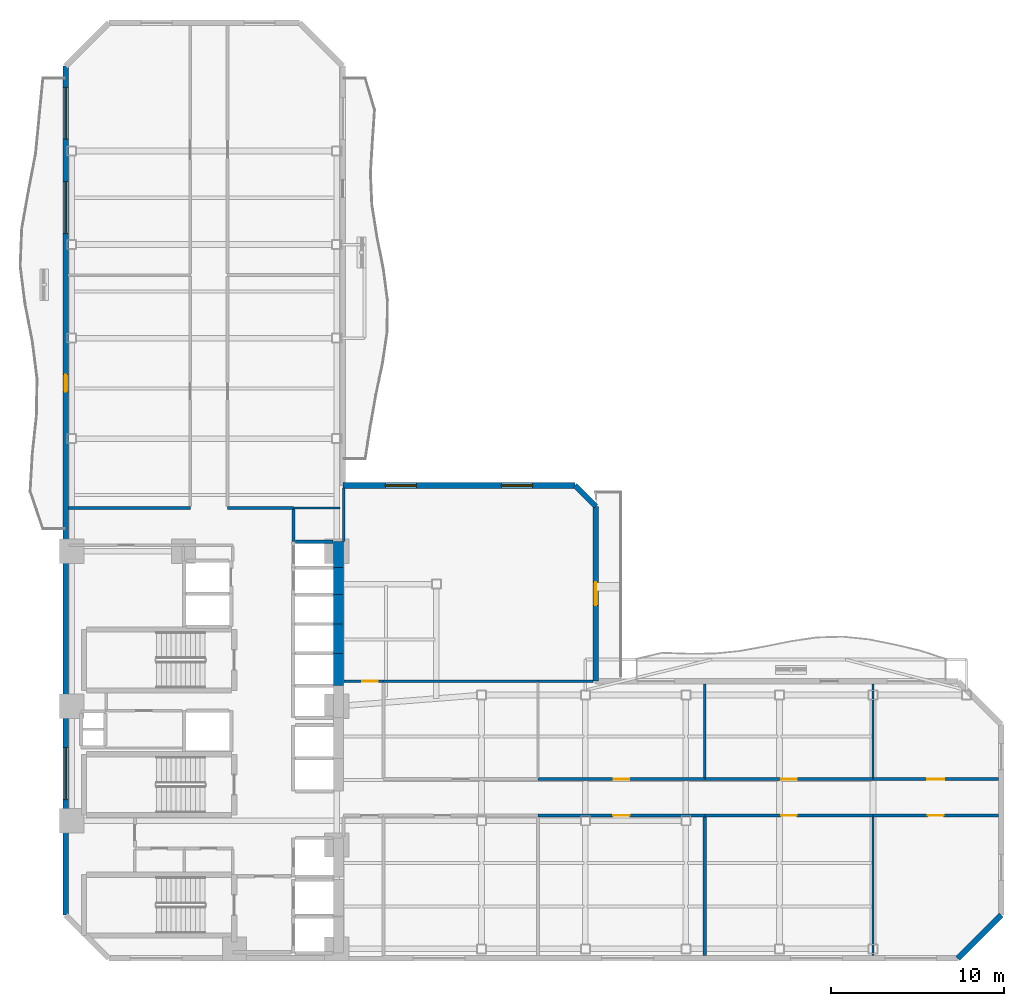
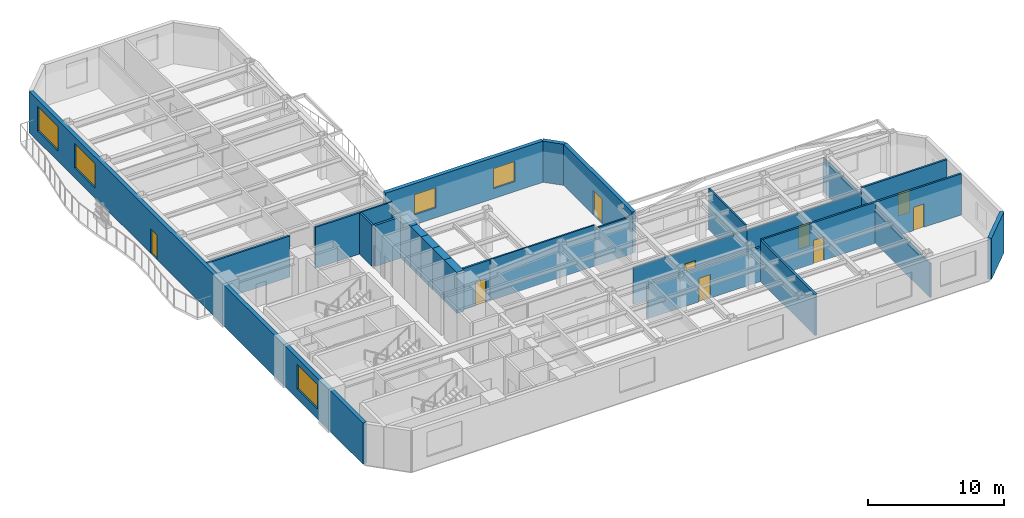
# One storey, part 5 of 10: 29 walls, 9 doors, 5 windows, 14 openings.
"""IFC4 building model written with IfcOpenShell, lengths in metres."""

import ifcopenshell
import ifcopenshell.guid

model = None  # the IFC model being written
_history = None  # IfcOwnerHistory: only IFC2X3 demands one
_inside = {}  # id of a spatial element -> (the spatial element, [elements in it])
_under = {}  # id of a project, library or spatial element -> (it, [spatial elements below it])
_declared = {}  # id of a project -> (the project, [libraries it declares])
_typed = {}  # id of a type object -> (the type object, [elements of that type])
_made_of = {}  # id of a material, layer set ... -> (it, [elements and type objects made of it])


def new_model(schema):
    """Start an empty IFC model of exactly this schema.

    Asked for "IFC4X3", IfcOpenShell would pick the latest addendum, in which some entities
    have other attributes; the version numbers below select the first issue.
    IFC2X3 requires an IfcOwnerHistory on every rooted entity: one is made here for all.
    """
    global model, _history
    if schema == "IFC4X3":
        model = ifcopenshell.file(schema_version=(4, 3, 0, 0))
    else:
        model = ifcopenshell.file(schema=schema)
    _inside.clear()
    _under.clear()
    _declared.clear()
    _typed.clear()
    _made_of.clear()
    _history = None
    if model.schema == "IFC2X3":
        org = make("IfcOrganization", Name="unknown")
        user = make(
            "IfcPersonAndOrganization",
            ThePerson=make("IfcPerson", FamilyName="unknown"),
            TheOrganization=org,
        )
        app = make(
            "IfcApplication",
            ApplicationDeveloper=org,
            Version="unknown",
            ApplicationFullName="unknown",
            ApplicationIdentifier="unknown",
        )
        _history = make(
            "IfcOwnerHistory",
            OwningUser=user,
            OwningApplication=app,
            ChangeAction="ADDED",
            CreationDate=0,
        )
    return model


def make(cls, **values):
    """One entity of the class cls with the attributes given. An attribute that is None is left unset."""
    return model.create_entity(
        cls, **{name: value for name, value in values.items() if value is not None}
    )


def rooted(cls, **values):
    """An entity with a GlobalId (a new one), such as an element, a storey or a relation."""
    return make(cls, GlobalId=ifcopenshell.guid.new(), OwnerHistory=_history, **values)


def si_unit(unit_type, name, prefix=None):
    """IfcSIUnit, for example si_unit("LENGTHUNIT", "METRE", prefix="MILLI")."""
    return make("IfcSIUnit", UnitType=unit_type, Prefix=prefix, Name=name)


def assignment(units):
    """IfcUnitAssignment: the units of a project."""
    return None if units is None else make("IfcUnitAssignment", Units=units)


def point(xyz):
    """IfcCartesianPoint."""
    return None if xyz is None else make("IfcCartesianPoint", Coordinates=xyz)


def direction(xyz):
    """IfcDirection."""
    return None if xyz is None else make("IfcDirection", DirectionRatios=xyz)


def frame(location, z_axis=None, x_axis=None):
    """IfcAxis2Placement3D, a coordinate frame: its origin and axes. An axis left out is left unset."""
    return make(
        "IfcAxis2Placement3D",
        Location=point(location),
        Axis=direction(z_axis),
        RefDirection=direction(x_axis),
    )


def frame_2d(location, x_axis=None):
    """IfcAxis2Placement2D, a coordinate frame in the plane: its origin and x axis."""
    return make(
        "IfcAxis2Placement2D", Location=point(location), RefDirection=direction(x_axis)
    )


def origin():
    """The frame at (0, 0, 0) with its axes left unset."""
    return frame((0.0, 0.0, 0.0))


def place(relative_to, where):
    """IfcLocalPlacement: puts the frame where relative to a parent placement (None: the world)."""
    return make(
        "IfcLocalPlacement", PlacementRelTo=relative_to, RelativePlacement=where
    )


def context(
    kind, dimensions, precision=None, world=None, true_north=None, identifier=None
):
    """IfcGeometricRepresentationContext, for example the 3D "Model" context."""
    return make(
        "IfcGeometricRepresentationContext",
        ContextIdentifier=identifier,
        ContextType=kind,
        CoordinateSpaceDimension=dimensions,
        Precision=precision,
        WorldCoordinateSystem=world,
        TrueNorth=true_north,
    )


def subcontext(parent, identifier, kind, view, scale=None):
    """IfcGeometricRepresentationSubContext, for example "Body" below "Model"."""
    return make(
        "IfcGeometricRepresentationSubContext",
        ContextIdentifier=identifier,
        ContextType=kind,
        ParentContext=parent,
        TargetScale=scale,
        TargetView=view,
    )


def project(units=None, contexts=None):
    """IfcProject with its units and contexts."""
    return rooted(
        "IfcProject",
        Name="project",
        RepresentationContexts=contexts,
        UnitsInContext=assignment(units),
    )


def spatial(cls, under=None, at=None, **own):
    """A site, building, storey or space (cls), placed at a placement, below another one or the project."""
    s = rooted(cls, ObjectPlacement=at, **own)
    if under is not None:
        _under.setdefault(under.id(), (under, []))[1].append(s)
    return s


def profile(cls, at=None, kind="AREA", **sizes):
    """A parametric profile (cls). Its sizes go by their IFC names, for example OverallWidth=200.0."""
    return make(cls, ProfileType=kind, Position=at, **sizes)


def rectangle(**sizes):
    """IfcRectangleProfileDef."""
    return profile("IfcRectangleProfileDef", **sizes)


def extrude(swept, where, along, depth):
    """IfcExtrudedAreaSolid: the profile swept, set in the frame where, extruded along a direction by depth."""
    return make(
        "IfcExtrudedAreaSolid",
        SweptArea=swept,
        Position=where,
        ExtrudedDirection=direction(along),
        Depth=depth,
    )


def shape(context_of_items, identifier, shape_type, items):
    """IfcShapeRepresentation: the items that make up one representation, for example the "Body"."""
    return make(
        "IfcShapeRepresentation",
        ContextOfItems=context_of_items,
        RepresentationIdentifier=identifier,
        RepresentationType=shape_type,
        Items=items,
    )


def material(Name=None, Category=None):
    """IfcMaterial."""
    return make("IfcMaterial", Name=Name, Category=Category)


def layer(
    of_material, thickness, ventilated=None, Name=None, Category=None, Priority=None
):
    """IfcMaterialLayer: one layer of a wall or slab, of a material (None: an air gap)."""
    return make(
        "IfcMaterialLayer",
        Material=of_material,
        LayerThickness=thickness,
        IsVentilated=ventilated,
        Name=Name,
        Category=Category,
        Priority=Priority,
    )


def layer_set(layers, Name=None):
    """IfcMaterialLayerSet."""
    return make("IfcMaterialLayerSet", MaterialLayers=layers, LayerSetName=Name)


def made_of(thing, what):
    """Note that an element or type object is made of a material, layer set ...; save() writes the relation."""
    if what is not None:
        _made_of.setdefault(what.id(), (what, []))[1].append(thing)
    return thing


def type_object(cls, material=None, **own):
    """A type object (cls), such as IfcWallType, which elements share."""
    return made_of(rooted(cls, **own), material)


def element(
    cls,
    number,
    at=None,
    inside=None,
    cuts=None,
    type_object=None,
    material=None,
    context=None,
    identifier="Body",
    shape_type=None,
    held_by="IfcProductDefinitionShape",
    body=None,
    shapes=None,
    **own,
):
    """One element of the class cls, such as IfcWall. Its Tag is "e" and its number.

    at: its placement. inside: the storey or other place that contains it. cuts: it is an
    opening in that element (IfcRelVoidsElement). A single representation is given by context,
    identifier, shape_type and body (its items); several are given by shapes. held_by: the class
    of the entity that holds the representations. save() writes the other relations.
    """
    e = rooted(cls, Tag="e%d" % number, ObjectPlacement=at, **own)
    if body is not None:
        shapes = [shape(context, identifier, shape_type, body)]
    if shapes is not None:
        e.Representation = make(held_by, Representations=shapes)
    if inside is not None:
        _inside.setdefault(inside.id(), (inside, []))[1].append(e)
    if cuts is not None:
        rooted(
            "IfcRelVoidsElement", RelatingBuildingElement=cuts, RelatedOpeningElement=e
        )
    if type_object is not None:
        _typed.setdefault(type_object.id(), (type_object, []))[1].append(e)
    return made_of(e, material)


def fill(opening, filler):
    """IfcRelFillsElement: the door or window that sits in an opening."""
    return rooted(
        "IfcRelFillsElement",
        RelatingOpeningElement=opening,
        RelatedBuildingElement=filler,
    )


def aggregate(whole, parts):
    """IfcRelAggregates: a whole, such as a stair, and the parts it consists of."""
    return rooted("IfcRelAggregates", RelatingObject=whole, RelatedObjects=parts)


def save(model, path):
    """Write the relations noted so far, then the file.

    IfcRelAggregates (storeys below a building ...), IfcRelContainedInSpatialStructure (elements
    in a storey), IfcRelDefinesByType, IfcRelAssociatesMaterial and IfcRelDeclares: one each for
    every whole, place, type object, material and project.
    """
    for whole, parts in _under.values():
        aggregate(whole, parts)
    for where, things in _inside.values():
        rooted(
            "IfcRelContainedInSpatialStructure",
            RelatedElements=things,
            RelatingStructure=where,
        )
    for kind, things in _typed.values():
        rooted("IfcRelDefinesByType", RelatedObjects=things, RelatingType=kind)
    for what, things in _made_of.values():
        rooted("IfcRelAssociatesMaterial", RelatedObjects=things, RelatingMaterial=what)
    for by, libraries in _declared.values():
        rooted("IfcRelDeclares", RelatingContext=by, RelatedDefinitions=libraries)
    model.write(path)


model = new_model("IFC4")

# Units and contexts
model_context = context("Model", 3, precision=1e-05, world=origin(), true_north=direction((0.0, 1.0)))
body_context = subcontext(model_context, "Body", "Model", "MODEL_VIEW")
ifc_project = project(units=[si_unit("LENGTHUNIT", "METRE"), si_unit("AREAUNIT", "SQUARE_METRE"), si_unit("VOLUMEUNIT", "CUBIC_METRE"), si_unit("PLANEANGLEUNIT", "RADIAN"), si_unit("MASSUNIT", "GRAM", prefix="KILO")], contexts=[model_context])

# Site, building, storey
site_placement = place(None, origin())
site = spatial("IfcSite", under=ifc_project, at=site_placement, CompositionType="ELEMENT")
building_placement = place(site_placement, origin())
building = spatial("IfcBuilding", under=site, at=building_placement, Name="Mawjaban Terraces University", CompositionType="ELEMENT")
storey_placement = place(building_placement, frame((0.0, 0.0, 50.5)))
storey = spatial("IfcBuildingStorey", under=building, at=storey_placement, Name="L11", CompositionType="ELEMENT", Elevation=50.5)

# Wall, opening, door
ifc_material_1 = material(Name="Acoustic masonry blockwork", Category="masonry")
ifc_layer_1 = layer(ifc_material_1, 0.179931640625)
ifc_layer_set_1 = layer_set([ifc_layer_1], Name="Acoustic masonry blockwork")
wall_type_1 = type_object("IfcWallType", Name="AcousticStudioWall_180", PredefinedType="PARTITIONING", material=ifc_layer_set_1)
wall_1_placement = place(storey_placement, frame((49.260009765625, 8.25, 0.0), z_axis=(0.0, 0.0, 1.0), x_axis=(1.0, 0.0, 0.0)))
wall_1 = element("IfcWall", 1, at=wall_1_placement, inside=storey, type_object=wall_type_1, Name="L11 East Academic Spine Corridor Partition 17", PredefinedType="PARTITIONING", context=body_context, shape_type="SweptSolid", body=[
    extrude(rectangle(XDim=9.6298828125, YDim=0.179931640625, at=frame_2d((4.81494140625, 0.0))), origin(), (0.0, 0.0, 1.0), 3.054931640625),
])
opening_1_placement = place(wall_1_placement, frame((4.340087890625, 0.0, 0.0)))
opening_1 = element("IfcOpeningElement", 2, at=opening_1_placement, cuts=wall_1, Name="Opening ID-095", PredefinedType="OPENING", context=body_context, shape_type="SweptSolid", body=[
    extrude(rectangle(XDim=0.949951171875, YDim=2.10009765625, at=frame_2d((0.47509765625, 1.050048828125))), frame((0.0, 0.099853515625, 0.0), z_axis=(0.0, -1.0, 0.0), x_axis=(1.0, 0.0, 0.0)), (0.0, 0.0, 1.0), 0.199951171875),
])
ifc_material_2 = material(Name="Powder-coated steel frame and solid acoustic timber leaf", Category="steel")
door_type_1 = type_object("IfcDoorType", Name="StudioDoor_950x2100", OperationType="NOTDEFINED", PredefinedType="DOOR", material=ifc_material_2)
door_1_placement = place(opening_1_placement, origin())
door_1 = element("IfcDoor", 3, at=door_1_placement, inside=storey, type_object=door_type_1, Name="L11 Media Workshop 4 Door", OperationType="SINGLE_SWING_RIGHT", OverallHeight=2.10009765625, OverallWidth=0.949951171875, PredefinedType="DOOR", context=body_context, shape_type="SweptSolid", body=[
    extrude(rectangle(XDim=0.949951171875, YDim=2.10009765625, at=frame_2d((0.47509765625, 1.050048828125))), frame((0.0, 0.02490234375, 0.0), z_axis=(0.0, -1.0, 0.0), x_axis=(1.0, 0.0, 0.0)), (0.0, 0.0, 1.0), 0.050048828125),
])
fill(opening_1, door_1)

# Walls
wall_2_placement = place(storey_placement, frame((58.889892578125, 0.155029296875, 0.0), z_axis=(0.0, 0.0, 1.0), x_axis=(0.0, 1.0, 0.0)))
element("IfcWall", 4, at=wall_2_placement, inside=storey, type_object=wall_type_1, Name="L11 Media Workshop 4 Partition 44", PredefinedType="PARTITIONING", context=body_context, shape_type="SweptSolid", body=[
    extrude(rectangle(XDim=8.010009765625, YDim=0.179931640625, at=frame_2d((4.0048828125, 0.0))), origin(), (0.0, 0.0, 1.0), 3.68994140625),
])
ifc_material_3 = material(Name="Concrete C70/85", Category="concrete")
ifc_layer_2 = layer(ifc_material_3, 0.60009765625)
ifc_layer_set_2 = layer_set([ifc_layer_2], Name="Concrete C70/85")
wall_type_2 = type_object("IfcWallType", Name="CoreShearWall_600", PredefinedType="SHEAR", material=ifc_layer_set_2)
wall_3_placement = place(storey_placement, frame((37.75, 15.75, 0.0), z_axis=(0.0, 0.0, 1.0), x_axis=(0.0, 1.0, 0.0)))
element("IfcWall", 5, at=wall_3_placement, inside=storey, type_object=wall_type_2, Name="L11 Lift OL-2 Hoistway Wall East", PredefinedType="SHEAR", context=body_context, shape_type="SweptSolid", body=[
    extrude(rectangle(XDim=1.85009765625, YDim=0.60009765625, at=frame_2d((0.925048828125, 0.0))), origin(), (0.0, 0.0, 1.0), 3.68994140625),
])
for number, where, z_axis, x_axis, name in (
    (6, (37.75, 17.60009765625, 0.0), (0.0, 0.0, 1.0), (0.0, 1.0, 0.0), "L11 Lift PL-M1 Hoistway Wall East"),
    (7, (37.75, 19.300048828125, 0.0), (0.0, 0.0, 1.0), (0.0, 1.0, 0.0), "L11 Lift PL-M2 Hoistway Wall East"),
):
    element("IfcWall", number, at=place(storey_placement, frame(where, z_axis=z_axis, x_axis=x_axis)), inside=storey, type_object=wall_type_2, Name=name, PredefinedType="SHEAR", context=body_context, shape_type="SweptSolid", body=[
        extrude(rectangle(XDim=1.699951171875, YDim=0.60009765625, at=frame_2d((0.85009765625, 0.0))), origin(), (0.0, 0.0, 1.0), 3.68994140625),
    ])
wall_4_placement = place(storey_placement, frame((37.75, 21.0, 0.0), z_axis=(0.0, 0.0, 1.0), x_axis=(0.0, 1.0, 0.0)))
element("IfcWall", 8, at=wall_4_placement, inside=storey, type_object=wall_type_2, Name="L11 Lift PL-L1 Hoistway Wall East", PredefinedType="SHEAR", context=body_context, shape_type="SweptSolid", body=[
    extrude(rectangle(XDim=1.550048828125, YDim=0.60009765625, at=frame_2d((0.77490234375, 0.0))), origin(), (0.0, 0.0, 1.0), 3.68994140625),
])
wall_5_placement = place(storey_placement, frame((37.75, 22.550048828125, 0.0), z_axis=(0.0, 0.0, 1.0), x_axis=(0.0, 1.0, 0.0)))
element("IfcWall", 9, at=wall_5_placement, inside=storey, type_object=wall_type_2, Name="L11 Lift PL-L2 Hoistway Wall East", PredefinedType="SHEAR", context=body_context, shape_type="SweptSolid", body=[
    extrude(rectangle(XDim=1.5, YDim=0.60009765625, at=frame_2d((0.75, 0.0))), origin(), (0.0, 0.0, 1.0), 3.68994140625),
])
ifc_material_4 = material(Name="Fire-rated gypsum board on steel stud", Category="steel")
ifc_layer_3 = layer(ifc_material_4, 0.159912109375)
ifc_layer_set_3 = layer_set([ifc_layer_3], Name="Fire-rated gypsum board on steel stud")
wall_type_3 = type_object("IfcWallType", Name="CorridorPartition_160", PredefinedType="PARTITIONING", material=ifc_layer_set_3)
wall_6_placement = place(storey_placement, frame((29.199951171875, 26.0, 0.0), z_axis=(0.0, 0.0, 1.0), x_axis=(-1.0, 0.0, 0.0)))
element("IfcWall", 10, at=wall_6_placement, inside=storey, type_object=wall_type_3, Name="L11 North Core Cross-Corridor Partition 7", PredefinedType="PARTITIONING", context=body_context, shape_type="SweptSolid", body=[
    extrude(rectangle(XDim=7.044921875, YDim=0.159912109375, at=frame_2d((3.5224609375, 0.0))), origin(), (0.0, 0.0, 1.0), 3.68994140625),
])
wall_7_placement = place(storey_placement, frame((35.14990234375, 26.0, 0.0), z_axis=(0.0, 0.0, 1.0), x_axis=(-1.0, 0.0, 0.0)))
element("IfcWall", 11, at=wall_7_placement, inside=storey, type_object=wall_type_3, Name="L11 North Core Cross-Corridor Partition 11", PredefinedType="PARTITIONING", context=body_context, shape_type="SweptSolid", body=[
    extrude(rectangle(XDim=3.7998046875, YDim=0.159912109375, at=frame_2d((1.89990234375, 0.0))), origin(), (0.0, 0.0, 1.0), 3.68994140625),
])

# Wall, opening, door
wall_8_placement = place(storey_placement, frame((40.35009765625, 16.0, 0.0), z_axis=(0.0, 0.0, 1.0), x_axis=(-1.0, 0.0, 0.0)))
wall_8 = element("IfcWall", 12, at=wall_8_placement, inside=storey, type_object=wall_type_3, Name="L11 East Academic Corridor Vestibule Partition 16", PredefinedType="PARTITIONING", context=body_context, shape_type="SweptSolid", body=[
    extrude(rectangle(XDim=2.27001953125, YDim=0.159912109375, at=frame_2d((1.135009765625, 0.0))), origin(), (0.0, 0.0, 1.0), 3.68994140625),
])
opening_2_placement = place(wall_8_placement, frame((0.3349609375, 0.0, 0.0)))
opening_2 = element("IfcOpeningElement", 13, at=opening_2_placement, cuts=wall_8, Name="Opening ID-090", PredefinedType="OPENING", context=body_context, shape_type="SweptSolid", body=[
    extrude(rectangle(XDim=0.89990234375, YDim=2.10009765625, at=frame_2d((0.449951171875, 1.050048828125))), frame((0.0, 0.08984375, 0.0), z_axis=(0.0, -1.0, 0.0), x_axis=(1.0, 0.0, 0.0)), (0.0, 0.0, 1.0), 0.179931640625),
])
door_type_2 = type_object("IfcDoorType", Name="OfficeDoor_900x2100", OperationType="NOTDEFINED", PredefinedType="DOOR", material=ifc_material_2)
door_2_placement = place(opening_2_placement, origin())
door_2 = element("IfcDoor", 14, at=door_2_placement, inside=storey, type_object=door_type_2, Name="L11 Terrace Collaborative Study Room Door", OperationType="SINGLE_SWING_RIGHT", OverallHeight=2.10009765625, OverallWidth=0.89990234375, PredefinedType="DOOR", context=body_context, shape_type="SweptSolid", body=[
    extrude(rectangle(XDim=0.89990234375, YDim=2.10009765625, at=frame_2d((0.449951171875, 1.050048828125))), frame((0.0, 0.02490234375, 0.0), z_axis=(0.0, -1.0, 0.0), x_axis=(1.0, 0.0, 0.0)), (0.0, 0.0, 1.0), 0.050048828125),
])
fill(opening_2, door_2)

wall_9_placement = place(storey_placement, frame((58.889892578125, 8.25, 0.0), z_axis=(0.0, 0.0, 1.0), x_axis=(1.0, 0.0, 0.0)))
wall_9 = element("IfcWall", 15, at=wall_9_placement, inside=storey, type_object=wall_type_3, Name="L11 East Academic Spine Corridor Partition 21", PredefinedType="PARTITIONING", context=body_context, shape_type="SweptSolid", body=[
    extrude(rectangle(XDim=9.710205078125, YDim=0.159912109375, at=frame_2d((4.85498046875, 0.0))), origin(), (0.0, 0.0, 1.0), 3.68994140625),
])
opening_3_placement = place(wall_9_placement, frame((4.405029296875, 0.0, 0.0)))
opening_3 = element("IfcOpeningElement", 16, at=opening_3_placement, cuts=wall_9, Name="Opening ID-090", PredefinedType="OPENING", context=body_context, shape_type="SweptSolid", body=[
    extrude(rectangle(XDim=0.89990234375, YDim=2.10009765625, at=frame_2d((0.449951171875, 1.050048828125))), frame((0.0, 0.08984375, 0.0), z_axis=(0.0, -1.0, 0.0), x_axis=(1.0, 0.0, 0.0)), (0.0, 0.0, 1.0), 0.179931640625),
])
door_3_placement = place(opening_3_placement, origin())
door_3 = element("IfcDoor", 17, at=door_3_placement, inside=storey, type_object=door_type_2, Name="L11 Reading Salon 6 Door", OperationType="SINGLE_SWING_RIGHT", OverallHeight=2.10009765625, OverallWidth=0.89990234375, PredefinedType="DOOR", context=body_context, shape_type="SweptSolid", body=[
    extrude(rectangle(XDim=0.89990234375, YDim=2.10009765625, at=frame_2d((0.449951171875, 1.050048828125))), frame((0.0, 0.02490234375, 0.0), z_axis=(0.0, -1.0, 0.0), x_axis=(1.0, 0.0, 0.0)), (0.0, 0.0, 1.0), 0.050048828125),
])
fill(opening_3, door_3)

wall_10_placement = place(storey_placement, frame((58.889892578125, 10.35009765625, 0.0), z_axis=(0.0, 0.0, 1.0), x_axis=(-1.0, 0.0, 0.0)))
wall_10 = element("IfcWall", 18, at=wall_10_placement, inside=storey, type_object=wall_type_3, Name="L11 East Academic Spine Corridor Partition 22", PredefinedType="PARTITIONING", context=body_context, shape_type="SweptSolid", body=[
    extrude(rectangle(XDim=9.6298828125, YDim=0.159912109375, at=frame_2d((4.81494140625, 0.0))), origin(), (0.0, 0.0, 1.0), 3.277099609375),
])
opening_4_placement = place(wall_10_placement, frame((4.364990234375, 0.0, 0.0)))
opening_4 = element("IfcOpeningElement", 19, at=opening_4_placement, cuts=wall_10, Name="Opening ID-090", PredefinedType="OPENING", context=body_context, shape_type="SweptSolid", body=[
    extrude(rectangle(XDim=0.89990234375, YDim=2.10009765625, at=frame_2d((0.449951171875, 1.050048828125))), frame((0.0, 0.08984375, 0.0), z_axis=(0.0, -1.0, 0.0), x_axis=(1.0, 0.0, 0.0)), (0.0, 0.0, 1.0), 0.179931640625),
])
door_4_placement = place(opening_4_placement, origin())
door_4 = element("IfcDoor", 20, at=door_4_placement, inside=storey, type_object=door_type_2, Name="L11 Quiet Reading Room 5 Door", OperationType="SINGLE_SWING_LEFT", OverallHeight=2.10009765625, OverallWidth=0.89990234375, PredefinedType="DOOR", context=body_context, shape_type="SweptSolid", body=[
    extrude(rectangle(XDim=0.89990234375, YDim=2.10009765625, at=frame_2d((0.449951171875, 1.050048828125))), frame((0.0, 0.02490234375, 0.0), z_axis=(0.0, -1.0, 0.0), x_axis=(1.0, 0.0, 0.0)), (0.0, 0.0, 1.0), 0.050048828125),
])
fill(opening_4, door_4)

wall_11_placement = place(storey_placement, frame((68.60009765625, 8.25, 0.0), z_axis=(0.0, 0.0, 1.0), x_axis=(1.0, 0.0, 0.0)))
wall_11 = element("IfcWall", 21, at=wall_11_placement, inside=storey, type_object=wall_type_3, Name="L11 East Academic Spine Corridor Partition 23", PredefinedType="PARTITIONING", context=body_context, shape_type="SweptSolid", body=[
    extrude(rectangle(XDim=7.244873046875, YDim=0.159912109375, at=frame_2d((3.62255859375, 0.0))), origin(), (0.0, 0.0, 1.0), 3.68994140625),
])
opening_5_placement = place(wall_11_placement, frame((3.173095703125, 0.0, 0.0)))
opening_5 = element("IfcOpeningElement", 22, at=opening_5_placement, cuts=wall_11, Name="Opening ID-090", PredefinedType="OPENING", context=body_context, shape_type="SweptSolid", body=[
    extrude(rectangle(XDim=0.89990234375, YDim=2.10009765625, at=frame_2d((0.449951171875, 1.050048828125))), frame((0.0, 0.08984375, 0.0), z_axis=(0.0, -1.0, 0.0), x_axis=(1.0, 0.0, 0.0)), (0.0, 0.0, 1.0), 0.179931640625),
])
door_5_placement = place(opening_5_placement, origin())
door_5 = element("IfcDoor", 23, at=door_5_placement, inside=storey, type_object=door_type_2, Name="L11 Academic Counseling Room 8 Door", OperationType="SINGLE_SWING_RIGHT", OverallHeight=2.10009765625, OverallWidth=0.89990234375, PredefinedType="DOOR", context=body_context, shape_type="SweptSolid", body=[
    extrude(rectangle(XDim=0.89990234375, YDim=2.10009765625, at=frame_2d((0.449951171875, 1.050048828125))), frame((0.0, 0.02490234375, 0.0), z_axis=(0.0, -1.0, 0.0), x_axis=(1.0, 0.0, 0.0)), (0.0, 0.0, 1.0), 0.050048828125),
])
fill(opening_5, door_5)

wall_12_placement = place(storey_placement, frame((68.60009765625, 10.35009765625, 0.0), z_axis=(0.0, 0.0, 1.0), x_axis=(-1.0, 0.0, 0.0)))
wall_12 = element("IfcWall", 24, at=wall_12_placement, inside=storey, type_object=wall_type_3, Name="L11 East Academic Spine Corridor Partition 24", PredefinedType="PARTITIONING", context=body_context, shape_type="SweptSolid", body=[
    extrude(rectangle(XDim=9.710205078125, YDim=0.159912109375, at=frame_2d((4.85498046875, 0.0))), origin(), (0.0, 0.0, 1.0), 3.277099609375),
])
opening_6_placement = place(wall_12_placement, frame((4.405029296875, 0.0, 0.0)))
opening_6 = element("IfcOpeningElement", 25, at=opening_6_placement, cuts=wall_12, Name="Opening ID-090", PredefinedType="OPENING", context=body_context, shape_type="SweptSolid", body=[
    extrude(rectangle(XDim=0.89990234375, YDim=2.10009765625, at=frame_2d((0.449951171875, 1.050048828125))), frame((0.0, 0.08984375, 0.0), z_axis=(0.0, -1.0, 0.0), x_axis=(1.0, 0.0, 0.0)), (0.0, 0.0, 1.0), 0.179931640625),
])
door_6_placement = place(opening_6_placement, origin())
door_6 = element("IfcDoor", 26, at=door_6_placement, inside=storey, type_object=door_type_2, Name="L11 Academic Counseling Room 7 Door", OperationType="SINGLE_SWING_LEFT", OverallHeight=2.10009765625, OverallWidth=0.89990234375, PredefinedType="DOOR", context=body_context, shape_type="SweptSolid", body=[
    extrude(rectangle(XDim=0.89990234375, YDim=2.10009765625, at=frame_2d((0.449951171875, 1.050048828125))), frame((0.0, 0.02490234375, 0.0), z_axis=(0.0, -1.0, 0.0), x_axis=(1.0, 0.0, 0.0)), (0.0, 0.0, 1.0), 0.050048828125),
])
fill(opening_6, door_6)

wall_13_placement = place(storey_placement, frame((75.844970703125, 10.35009765625, 0.0), z_axis=(0.0, 0.0, 1.0), x_axis=(-1.0, 0.0, 0.0)))
wall_13 = element("IfcWall", 27, at=wall_13_placement, inside=storey, type_object=wall_type_3, Name="L11 East Academic Spine Corridor Partition 25", PredefinedType="PARTITIONING", context=body_context, shape_type="SweptSolid", body=[
    extrude(rectangle(XDim=7.244873046875, YDim=0.159912109375, at=frame_2d((3.62255859375, 0.0))), origin(), (0.0, 0.0, 1.0), 3.68994140625),
])
opening_7_placement = place(wall_13_placement, frame((3.123046875, 0.0, 0.0)))
opening_7 = element("IfcOpeningElement", 28, at=opening_7_placement, cuts=wall_13, Name="Opening ID-100", PredefinedType="OPENING", context=body_context, shape_type="SweptSolid", body=[
    extrude(rectangle(XDim=1.0, YDim=2.10009765625, at=frame_2d((0.5, 1.050048828125))), frame((0.0, 0.08984375, 0.0), z_axis=(0.0, -1.0, 0.0), x_axis=(1.0, 0.0, 0.0)), (0.0, 0.0, 1.0), 0.179931640625),
])
door_type_3 = type_object("IfcDoorType", Name="ClassroomDoor_1000x2100", OperationType="NOTDEFINED", PredefinedType="DOOR", material=ifc_material_2)
door_7_placement = place(opening_7_placement, origin())
door_7 = element("IfcDoor", 29, at=door_7_placement, inside=storey, type_object=door_type_3, Name="L11 Classroom 9 Door", OperationType="SINGLE_SWING_LEFT", OverallHeight=2.10009765625, OverallWidth=1.0, PredefinedType="DOOR", context=body_context, shape_type="SweptSolid", body=[
    extrude(rectangle(XDim=1.0, YDim=2.10009765625, at=frame_2d((0.5, 1.050048828125))), frame((0.0, 0.02490234375, 0.0), z_axis=(0.0, -1.0, 0.0), x_axis=(1.0, 0.0, 0.0)), (0.0, 0.0, 1.0), 0.050048828125),
])
fill(opening_7, door_7)

# Walls
wall_14_placement = place(storey_placement, frame((35.14990234375, 24.070068359375, 0.0), z_axis=(0.0, 0.0, 1.0), x_axis=(0.0, 1.0, 0.0)))
element("IfcWall", 30, at=wall_14_placement, inside=storey, type_object=wall_type_3, Name="L11 North Core Cross-Corridor Partition 37", PredefinedType="PARTITIONING", context=body_context, shape_type="SweptSolid", body=[
    extrude(rectangle(XDim=1.85498046875, YDim=0.159912109375, at=frame_2d((0.927490234375, 0.0))), origin(), (0.0, 0.0, 1.0), 3.68994140625),
])
ifc_material_5 = material(Name="Insulated terracotta rainscreen on concrete backup C40/50", Category="masonry")
ifc_layer_4 = layer(ifc_material_5, 0.320068359375)
ifc_layer_set_4 = layer_set([ifc_layer_4], Name="Insulated terracotta rainscreen on concrete backup C40/50")
wall_type_4 = type_object("IfcWallType", Name="ExtTerracottaWall_320", PredefinedType="SOLIDWALL", material=ifc_layer_set_4)
wall_15_placement = place(storey_placement, frame((73.5, 0.0, 0.0), z_axis=(0.0, 0.0, 1.0), x_axis=(0.707106781187, 0.707106781187, 0.0)))
element("IfcWall", 31, at=wall_15_placement, inside=storey, type_object=wall_type_4, Name="L11 Exterior Terracotta Wall 2", PredefinedType="SOLIDWALL", context=body_context, shape_type="SweptSolid", body=[
    extrude(rectangle(XDim=3.53564453125, YDim=0.320068359375, at=frame_2d((1.767822265625, 0.0))), origin(), (0.0, 0.0, 1.0), 3.68994140625),
])

# Wall, opening, door
wall_16_placement = place(storey_placement, frame((52.60009765625, 16.0, 0.0), z_axis=(0.0, 0.0, 1.0), x_axis=(0.0, 1.0, 0.0)))
wall_16 = element("IfcWall", 32, at=wall_16_placement, inside=storey, type_object=wall_type_4, Name="L11 Exterior Terracotta Wall 6", PredefinedType="SOLIDWALL", context=body_context, shape_type="SweptSolid", body=[
    extrude(rectangle(XDim=10.094970703125, YDim=0.320068359375, at=frame_2d((5.04736328125, 0.0))), origin(), (0.0, 0.0, 1.0), 3.68994140625),
])
opening_8_placement = place(wall_16_placement, frame((4.3720703125, 0.0, 0.0)))
opening_8 = element("IfcOpeningElement", 33, at=opening_8_placement, cuts=wall_16, Name="Opening TD-135", PredefinedType="OPENING", context=body_context, shape_type="SweptSolid", body=[
    extrude(rectangle(XDim=1.35009765625, YDim=2.199951171875, at=frame_2d((0.675048828125, 1.10009765625))), frame((0.0, 0.169921875, 0.0), z_axis=(0.0, -1.0, 0.0), x_axis=(1.0, 0.0, 0.0)), (0.0, 0.0, 1.0), 0.340087890625),
])
ifc_material_6 = material(Name="Thermally broken anodised aluminium and laminated safety glass", Category="aluminium")
door_type_4 = type_object("IfcDoorType", Name="TerraceGlazedDoor_1350x2200", OperationType="NOTDEFINED", PredefinedType="DOOR", material=ifc_material_6)
door_8_placement = place(opening_8_placement, origin())
door_8 = element("IfcDoor", 34, at=door_8_placement, inside=storey, type_object=door_type_4, Name="L11 Terrace Access Door TER-L11-CLIMB", OperationType="SINGLE_SWING_LEFT", OverallHeight=2.199951171875, OverallWidth=1.35009765625, PredefinedType="DOOR", context=body_context, shape_type="SweptSolid", body=[
    extrude(rectangle(XDim=1.35009765625, YDim=2.199951171875, at=frame_2d((0.675048828125, 1.10009765625))), frame((0.0, 0.02490234375, 0.0), z_axis=(0.0, -1.0, 0.0), x_axis=(1.0, 0.0, 0.0)), (0.0, 0.0, 1.0), 0.050048828125),
])
fill(opening_8, door_8)

# Wall
wall_17_placement = place(storey_placement, frame((52.60009765625, 26.094970703125, 0.0), z_axis=(0.0, 0.0, 1.0), x_axis=(-0.707178703759, 0.707034851297, 0.0)))
element("IfcWall", 35, at=wall_17_placement, inside=storey, type_object=wall_type_4, Name="L11 Exterior Terracotta Wall 7", PredefinedType="SOLIDWALL", context=body_context, shape_type="SweptSolid", body=[
    extrude(rectangle(XDim=1.697265625, YDim=0.320068359375, at=frame_2d((0.8486328125, 0.0))), origin(), (0.0, 0.0, 1.0), 3.68994140625),
])

# Wall, openings, windows
wall_18_placement = place(storey_placement, frame((51.39990234375, 27.294921875, 0.0), z_axis=(0.0, 0.0, 1.0), x_axis=(-1.0, 0.0, 0.0)))
wall_18 = element("IfcWall", 36, at=wall_18_placement, inside=storey, type_object=wall_type_4, Name="L11 Exterior Terracotta Wall 8", PredefinedType="SOLIDWALL", context=body_context, shape_type="SweptSolid", body=[
    extrude(rectangle(XDim=13.39990234375, YDim=0.320068359375, at=frame_2d((6.699951171875, 0.0))), origin(), (0.0, 0.0, 1.0), 3.68994140625),
])
opening_9_placement = place(wall_18_placement, frame((2.449951171875, 0.0, 0.89990234375)))
opening_9 = element("IfcOpeningElement", 37, at=opening_9_placement, cuts=wall_18, Name="Opening W-07", PredefinedType="OPENING", context=body_context, shape_type="SweptSolid", body=[
    extrude(rectangle(XDim=1.800048828125, YDim=1.800048828125, at=frame_2d((0.89990234375, 0.89990234375))), frame((0.0, 0.169921875, 0.0), z_axis=(0.0, -1.0, 0.0), x_axis=(1.0, 0.0, 0.0)), (0.0, 0.0, 1.0), 0.340087890625),
])
opening_10_placement = place(wall_18_placement, frame((9.14990234375, 0.0, 0.89990234375)))
opening_10 = element("IfcOpeningElement", 38, at=opening_10_placement, cuts=wall_18, Name="Opening W-07", PredefinedType="OPENING", context=body_context, shape_type="SweptSolid", body=[
    extrude(rectangle(XDim=1.800048828125, YDim=1.800048828125, at=frame_2d((0.89990234375, 0.89990234375))), frame((0.0, 0.169921875, 0.0), z_axis=(0.0, -1.0, 0.0), x_axis=(1.0, 0.0, 0.0)), (0.0, 0.0, 1.0), 0.340087890625),
])
ifc_material_7 = material(Name="Low-E solar-control double glazing in thermally broken aluminium frame", Category="aluminium")
window_type_1 = type_object("IfcWindowType", Name="Win_1800x1800", PartitioningType="SINGLE_PANEL", PredefinedType="WINDOW", material=ifc_material_7)
window_1_placement = place(opening_9_placement, origin())
window_1 = element("IfcWindow", 39, at=window_1_placement, inside=storey, type_object=window_type_1, Name="L11 Facade Window 8.1", OverallHeight=1.800048828125, OverallWidth=1.800048828125, PartitioningType="SINGLE_PANEL", PredefinedType="WINDOW", context=body_context, shape_type="SweptSolid", body=[
    extrude(rectangle(XDim=1.800048828125, YDim=1.800048828125, at=frame_2d((0.89990234375, 0.89990234375))), frame((0.0, 0.030029296875, 0.0), z_axis=(0.0, -1.0, 0.0), x_axis=(1.0, 0.0, 0.0)), (0.0, 0.0, 1.0), 0.06005859375),
])
fill(opening_9, window_1)
window_2_placement = place(opening_10_placement, origin())
window_2 = element("IfcWindow", 40, at=window_2_placement, inside=storey, type_object=window_type_1, Name="L11 Facade Window 8.2", OverallHeight=1.800048828125, OverallWidth=1.800048828125, PartitioningType="SINGLE_PANEL", PredefinedType="WINDOW", context=body_context, shape_type="SweptSolid", body=[
    extrude(rectangle(XDim=1.800048828125, YDim=1.800048828125, at=frame_2d((0.89990234375, 0.89990234375))), frame((0.0, 0.030029296875, 0.0), z_axis=(0.0, -1.0, 0.0), x_axis=(1.0, 0.0, 0.0)), (0.0, 0.0, 1.0), 0.06005859375),
])
fill(opening_10, window_2)

# Wall, openings, door, windows
wall_19_placement = place(storey_placement, frame((22.0, 51.5, 0.0), z_axis=(0.0, 0.0, 1.0), x_axis=(0.0, -1.0, 0.0)))
wall_19 = element("IfcWall", 41, at=wall_19_placement, inside=storey, type_object=wall_type_4, Name="L11 Exterior Terracotta Wall 13", PredefinedType="SOLIDWALL", context=body_context, shape_type="SweptSolid", body=[
    extrude(rectangle(XDim=49.0, YDim=0.320068359375, at=frame_2d((24.5, 0.0))), origin(), (0.0, 0.0, 1.0), 3.68994140625),
])
opening_11_placement = place(wall_19_placement, frame((17.800048828125, 0.0, 0.0)))
opening_11 = element("IfcOpeningElement", 42, at=opening_11_placement, cuts=wall_19, Name="Opening BD-100", PredefinedType="OPENING", context=body_context, shape_type="SweptSolid", body=[
    extrude(rectangle(XDim=1.0, YDim=2.199951171875, at=frame_2d((0.5, 1.10009765625))), frame((0.0, 0.169921875, 0.0), z_axis=(0.0, -1.0, 0.0), x_axis=(1.0, 0.0, 0.0)), (0.0, 0.0, 1.0), 0.340087890625),
])
opening_12_placement = place(wall_19_placement, frame((1.221923828125, 0.0, 0.89990234375)))
opening_12 = element("IfcOpeningElement", 43, at=opening_12_placement, cuts=wall_19, Name="Opening W-12", PredefinedType="OPENING", context=body_context, shape_type="SweptSolid", body=[
    extrude(rectangle(XDim=3.0, YDim=2.199951171875, at=frame_2d((1.5, 1.10009765625))), frame((0.0, 0.169921875, 0.0), z_axis=(0.0, -1.0, 0.0), x_axis=(1.0, 0.0, 0.0)), (0.0, 0.0, 1.0), 0.340087890625),
])
opening_13_placement = place(wall_19_placement, frame((6.6669921875, 0.0, 0.89990234375)))
opening_13 = element("IfcOpeningElement", 44, at=opening_13_placement, cuts=wall_19, Name="Opening W-12", PredefinedType="OPENING", context=body_context, shape_type="SweptSolid", body=[
    extrude(rectangle(XDim=3.0, YDim=2.199951171875, at=frame_2d((1.5, 1.10009765625))), frame((0.0, 0.169921875, 0.0), z_axis=(0.0, -1.0, 0.0), x_axis=(1.0, 0.0, 0.0)), (0.0, 0.0, 1.0), 0.340087890625),
])
opening_14_placement = place(wall_19_placement, frame((39.3330078125, 0.0, 0.89990234375)))
opening_14 = element("IfcOpeningElement", 45, at=opening_14_placement, cuts=wall_19, Name="Opening W-12", PredefinedType="OPENING", context=body_context, shape_type="SweptSolid", body=[
    extrude(rectangle(XDim=3.0, YDim=2.199951171875, at=frame_2d((1.5, 1.10009765625))), frame((0.0, 0.169921875, 0.0), z_axis=(0.0, -1.0, 0.0), x_axis=(1.0, 0.0, 0.0)), (0.0, 0.0, 1.0), 0.340087890625),
])
door_type_5 = type_object("IfcDoorType", Name="BalconyGlazedDoor_1000x2200", OperationType="NOTDEFINED", PredefinedType="DOOR", material=ifc_material_6)
door_9_placement = place(opening_11_placement, origin())
door_9 = element("IfcDoor", 46, at=door_9_placement, inside=storey, type_object=door_type_5, Name="L11 Balcony Access Door west", OperationType="SINGLE_SWING_RIGHT", OverallHeight=2.199951171875, OverallWidth=1.0, PredefinedType="DOOR", context=body_context, shape_type="SweptSolid", body=[
    extrude(rectangle(XDim=1.0, YDim=2.199951171875, at=frame_2d((0.5, 1.10009765625))), frame((0.0, 0.02490234375, 0.0), z_axis=(0.0, -1.0, 0.0), x_axis=(1.0, 0.0, 0.0)), (0.0, 0.0, 1.0), 0.050048828125),
])
fill(opening_11, door_9)
window_type_2 = type_object("IfcWindowType", Name="Win_3000x2200", PartitioningType="SINGLE_PANEL", PredefinedType="WINDOW", material=ifc_material_7)
window_3_placement = place(opening_12_placement, origin())
window_3 = element("IfcWindow", 47, at=window_3_placement, inside=storey, type_object=window_type_2, Name="L11 Facade Window 13.1", OverallHeight=2.199951171875, OverallWidth=3.0, PartitioningType="SINGLE_PANEL", PredefinedType="WINDOW", context=body_context, shape_type="SweptSolid", body=[
    extrude(rectangle(XDim=3.0, YDim=2.199951171875, at=frame_2d((1.5, 1.10009765625))), frame((0.0, 0.030029296875, 0.0), z_axis=(0.0, -1.0, 0.0), x_axis=(1.0, 0.0, 0.0)), (0.0, 0.0, 1.0), 0.06005859375),
])
fill(opening_12, window_3)
window_4_placement = place(opening_13_placement, origin())
window_4 = element("IfcWindow", 48, at=window_4_placement, inside=storey, type_object=window_type_2, Name="L11 Facade Window 13.2", OverallHeight=2.199951171875, OverallWidth=3.0, PartitioningType="SINGLE_PANEL", PredefinedType="WINDOW", context=body_context, shape_type="SweptSolid", body=[
    extrude(rectangle(XDim=3.0, YDim=2.199951171875, at=frame_2d((1.5, 1.10009765625))), frame((0.0, 0.030029296875, 0.0), z_axis=(0.0, -1.0, 0.0), x_axis=(1.0, 0.0, 0.0)), (0.0, 0.0, 1.0), 0.06005859375),
])
fill(opening_13, window_4)
window_5_placement = place(opening_14_placement, origin())
window_5 = element("IfcWindow", 49, at=window_5_placement, inside=storey, type_object=window_type_2, Name="L11 Facade Window 13.8", OverallHeight=2.199951171875, OverallWidth=3.0, PartitioningType="SINGLE_PANEL", PredefinedType="WINDOW", context=body_context, shape_type="SweptSolid", body=[
    extrude(rectangle(XDim=3.0, YDim=2.199951171875, at=frame_2d((1.5, 1.10009765625))), frame((0.0, 0.030029296875, 0.0), z_axis=(0.0, -1.0, 0.0), x_axis=(1.0, 0.0, 0.0)), (0.0, 0.0, 1.0), 0.06005859375),
])
fill(opening_14, window_5)

# Walls
ifc_material_8 = material(Name="Concrete C40/50", Category="concrete")
ifc_layer_5 = layer(ifc_material_8, 0.199951171875)
ifc_layer_set_5 = layer_set([ifc_layer_5], Name="Concrete C40/50")
wall_type_5 = type_object("IfcWallType", Name="FireLobbyWall_200", PredefinedType="SOLIDWALL", material=ifc_layer_set_5)
wall_20_placement = place(storey_placement, frame((37.419921875, 24.050048828125, 0.0), z_axis=(0.0, 0.0, 1.0), x_axis=(-1.0, 0.0, 0.0)))
element("IfcWall", 50, at=wall_20_placement, inside=storey, type_object=wall_type_5, Name="L11 Lift PL-L2 Hoistway Wall North", PredefinedType="SOLIDWALL", context=body_context, shape_type="SweptSolid", body=[
    extrude(rectangle(XDim=2.139892578125, YDim=0.199951171875, at=frame_2d((1.06982421875, 0.0))), origin(), (0.0, 0.0, 1.0), 3.68994140625),
])
ifc_material_9 = material(Name="Gypsum plasterboard on steel stud", Category="steel")
ifc_layer_6 = layer(ifc_material_9, 0.125)
ifc_layer_set_6 = layer_set([ifc_layer_6], Name="Gypsum plasterboard on steel stud")
wall_type_6 = type_object("IfcWallType", Name="OfficePartition_125", PredefinedType="PARTITIONING", material=ifc_layer_set_6)
wall_21_placement = place(storey_placement, frame((35.14990234375, 26.0, 0.0), z_axis=(0.0, 0.0, 1.0), x_axis=(1.0, 0.0, 0.0)))
element("IfcWall", 51, at=wall_21_placement, inside=storey, type_object=wall_type_6, Name="L11 Faculty Office 11 Partition 12", PredefinedType="PARTITIONING", context=body_context, shape_type="SweptSolid", body=[
    extrude(rectangle(XDim=2.7001953125, YDim=0.125, at=frame_2d((1.35009765625, 0.0))), origin(), (0.0, 0.0, 1.0), 3.68994140625),
])
wall_22_placement = place(storey_placement, frame((49.260009765625, 16.0, 0.0), z_axis=(0.0, 0.0, 1.0), x_axis=(1.0, 0.0, 0.0)))
element("IfcWall", 52, at=wall_22_placement, inside=storey, type_object=wall_type_6, Name="L11 Terrace Collaborative Study Room Partition 19", PredefinedType="PARTITIONING", context=body_context, shape_type="SweptSolid", body=[
    extrude(rectangle(XDim=3.18505859375, YDim=0.125, at=frame_2d((1.592529296875, 0.0))), origin(), (0.0, 0.0, 1.0), 3.389892578125),
])
wall_23_placement = place(storey_placement, frame((49.260009765625, 16.0, 0.0), z_axis=(0.0, 0.0, 1.0), x_axis=(-1.0, 0.0, 0.0)))
element("IfcWall", 53, at=wall_23_placement, inside=storey, type_object=wall_type_6, Name="L11 Reading Salon 3 Partition 20", PredefinedType="PARTITIONING", context=body_context, shape_type="SweptSolid", body=[
    extrude(rectangle(XDim=8.909912109375, YDim=0.125, at=frame_2d((4.455078125, 0.0))), origin(), (0.0, 0.0, 1.0), 3.68994140625),
])
wall_24_placement = place(storey_placement, frame((38.050048828125, 27.139892578125, 0.0), z_axis=(0.0, 0.0, 1.0), x_axis=(0.0, -1.0, 0.0)))
element("IfcWall", 54, at=wall_24_placement, inside=storey, type_object=wall_type_6, Name="L11 Terrace Collaborative Study Room Partition 39", PredefinedType="PARTITIONING", context=body_context, shape_type="SweptSolid", body=[
    extrude(rectangle(XDim=3.08984375, YDim=0.125, at=frame_2d((1.544921875, 0.0))), origin(), (0.0, 0.0, 1.0), 3.054931640625),
])
wall_25_placement = place(storey_placement, frame((58.889892578125, 10.425048828125, 0.0), z_axis=(0.0, 0.0, 1.0), x_axis=(0.0, 1.0, 0.0)))
element("IfcWall", 55, at=wall_25_placement, inside=storey, type_object=wall_type_6, Name="L11 Quiet Reading Room 5 Partition 45", PredefinedType="PARTITIONING", context=body_context, shape_type="SweptSolid", body=[
    extrude(rectangle(XDim=5.419921875, YDim=0.125, at=frame_2d((2.7099609375, 0.0))), origin(), (0.0, 0.0, 1.0), 3.68994140625),
])
wall_26_placement = place(storey_placement, frame((68.60009765625, 0.155029296875, 0.0), z_axis=(0.0, 0.0, 1.0), x_axis=(0.0, 1.0, 0.0)))
element("IfcWall", 56, at=wall_26_placement, inside=storey, type_object=wall_type_6, Name="L11 Reading Salon 6 Partition 46", PredefinedType="PARTITIONING", context=body_context, shape_type="SweptSolid", body=[
    extrude(rectangle(XDim=8.02001953125, YDim=0.125, at=frame_2d((4.010009765625, 0.0))), origin(), (0.0, 0.0, 1.0), 3.054931640625),
])
wall_27_placement = place(storey_placement, frame((68.60009765625, 10.425048828125, 0.0), z_axis=(0.0, 0.0, 1.0), x_axis=(0.0, 1.0, 0.0)))
element("IfcWall", 57, at=wall_27_placement, inside=storey, type_object=wall_type_6, Name="L11 Academic Counseling Room 7 Partition 47", PredefinedType="PARTITIONING", context=body_context, shape_type="SweptSolid", body=[
    extrude(rectangle(XDim=5.419921875, YDim=0.125, at=frame_2d((2.7099609375, 0.0))), origin(), (0.0, 0.0, 1.0), 3.054931640625),
])

save(model, "model.ifc")
